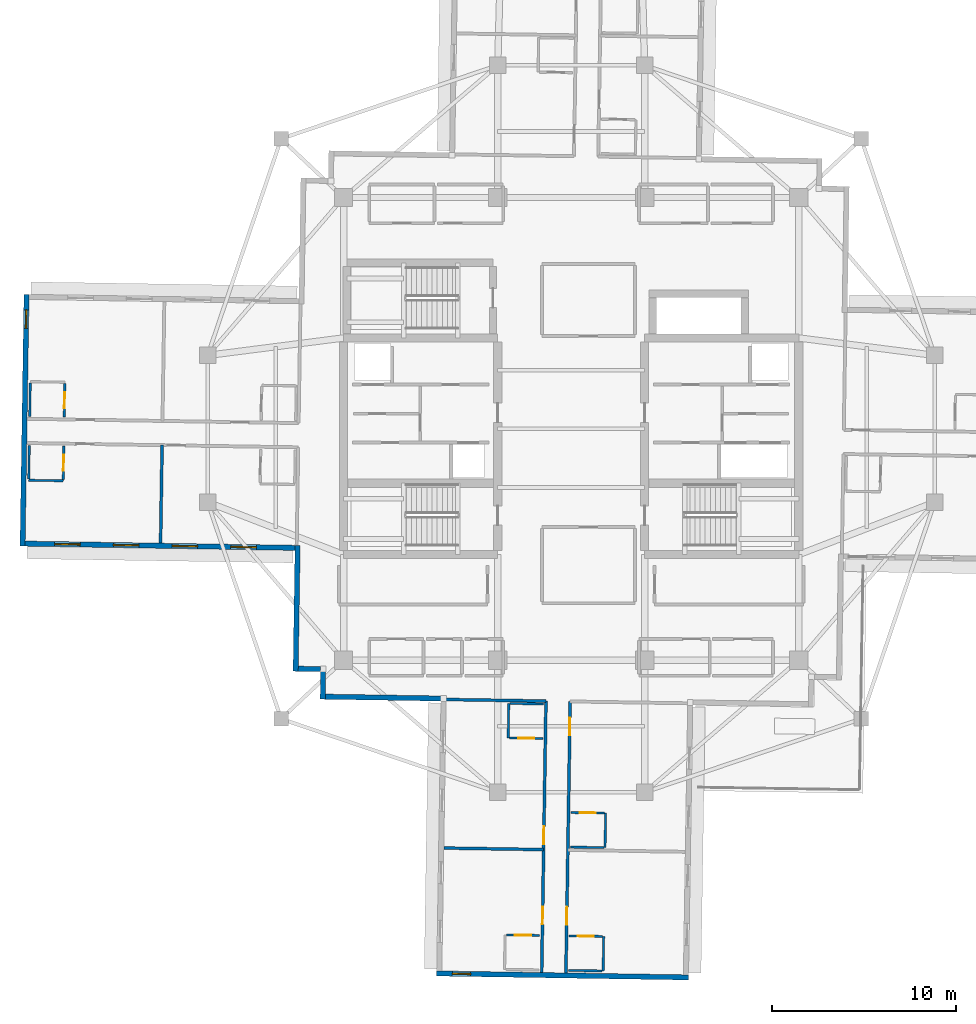
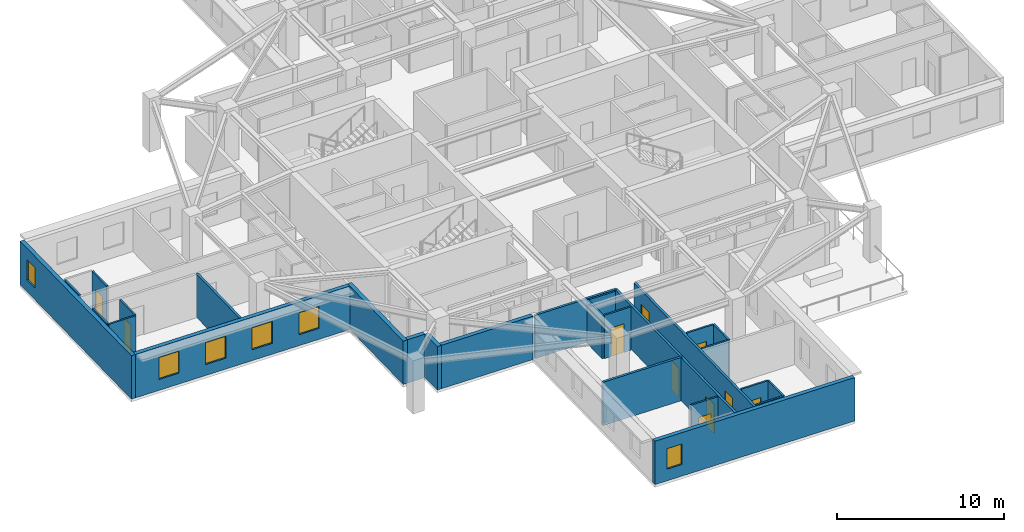
# One storey, part 3 of 13: 27 walls, 10 doors, 6 windows, 16 openings.
"""IFC4 building model written with IfcOpenShell, lengths in metres."""

from ifc_helpers import new_model, si_unit, direction, frame, frame_2d, origin, place, context, subcontext, project, spatial, rectangle, extrude, material, layer, layer_set, type_object, element, fill, save


model = new_model("IFC4")

# Units and contexts
model_context = context("Model", 3, precision=1e-05, world=origin(), true_north=direction((0.0, 1.0)))
body_context = subcontext(model_context, "Body", "Model", "MODEL_VIEW")
ifc_project = project(units=[si_unit("LENGTHUNIT", "METRE"), si_unit("AREAUNIT", "SQUARE_METRE"), si_unit("VOLUMEUNIT", "CUBIC_METRE"), si_unit("PLANEANGLEUNIT", "RADIAN"), si_unit("MASSUNIT", "GRAM", prefix="KILO")], contexts=[model_context])

# Site, building, storey
site_placement = place(None, origin())
site = spatial("IfcSite", under=ifc_project, at=site_placement, CompositionType="ELEMENT")
building_placement = place(site_placement, origin())
building = spatial("IfcBuilding", under=site, at=building_placement, Name="Qingluan Cross Belvedere", CompositionType="ELEMENT")
storey_placement = place(building_placement, frame((0.0, 0.0, 228.60009765625)))
storey = spatial("IfcBuildingStorey", under=building, at=storey_placement, Name="L57", CompositionType="ELEMENT", Elevation=228.60009765625)

# Wall
ifc_material_1 = material(Name="Gypsum plasterboard on steel stud acoustic partition", Category="steel")
ifc_layer_1 = layer(ifc_material_1, 0.159912109375, Name="CorridorPartition_160")
ifc_layer_set_1 = layer_set([ifc_layer_1], Name="Gypsum plasterboard on steel stud acoustic partition")
wall_type_1 = type_object("IfcWallType", Name="CorridorPartition_160", PredefinedType="PARTITIONING", material=ifc_layer_set_1)
wall_1_placement = place(storey_placement, frame((-22.28369140625, -0.89013671875, 0.0), z_axis=(0.0, 0.0, 1.0), x_axis=(-0.015705348516, -0.999876663408, 0.0)))
element("IfcWall", 1, at=wall_1_placement, inside=storey, type_object=wall_type_1, Name="Partition L57:W:d1_0", PredefinedType="PARTITIONING", context=body_context, shape_type="SweptSolid", body=[
    extrude(rectangle(XDim=5.33203125, YDim=0.159912109375, at=frame_2d((2.666015625, 0.0))), origin(), (0.0, 0.0, 1.0), 3.169921875),
])

# Wall, openings, doors
wall_2_placement = place(storey_placement, frame((-0.05322265625, -14.85107421875, 0.0), z_axis=(0.0, 0.0, 1.0), x_axis=(-0.015706944004, -0.999876638346, 0.0)))
wall_2 = element("IfcWall", 2, at=wall_2_placement, inside=storey, type_object=wall_type_1, Name="Partition L57:S:c0", PredefinedType="PARTITIONING", context=body_context, shape_type="SweptSolid", body=[
    extrude(rectangle(XDim=14.78173828125, YDim=0.159912109375, at=frame_2d((7.390869140625, 0.0))), origin(), (0.0, 0.0, 1.0), 3.169921875),
])
opening_1_placement = place(wall_2_placement, frame((0.884033203125, 0.0, 0.0)))
opening_1 = element("IfcOpeningElement", 3, at=opening_1_placement, cuts=wall_2, Name="Opening GD-10", PredefinedType="OPENING", context=body_context, shape_type="SweptSolid", body=[
    extrude(rectangle(XDim=0.9599609375, YDim=2.14990234375, at=frame_2d((0.47998046875, 1.074951171875))), frame((0.0, 0.08984375, 0.0), z_axis=(0.0, -1.0, 0.0), x_axis=(1.0, 0.0, 0.0)), (0.0, 0.0, 1.0), 0.179931640625),
])
opening_2_placement = place(wall_2_placement, frame((11.197998046875, 0.0, 0.0)))
opening_2 = element("IfcOpeningElement", 4, at=opening_2_placement, cuts=wall_2, Name="Opening GD-10", PredefinedType="OPENING", context=body_context, shape_type="SweptSolid", body=[
    extrude(rectangle(XDim=0.9599609375, YDim=2.14990234375, at=frame_2d((0.47998046875, 1.074951171875))), frame((0.0, 0.08984375, 0.0), z_axis=(0.0, -1.0, 0.0), x_axis=(1.0, 0.0, 0.0)), (0.0, 0.0, 1.0), 0.179931640625),
])
ifc_material_2 = material(Name="Timber oak fire-rated acoustic guestroom door", Category="wood")
door_type_1 = type_object("IfcDoorType", Name="GuestEntryDoor_FD60", OperationType="NOTDEFINED", PredefinedType="DOOR", material=ifc_material_2)
door_1_placement = place(opening_1_placement, origin())
door_1 = element("IfcDoor", 5, at=door_1_placement, inside=storey, type_object=door_type_1, Name="Guest entry fire door 5715", OperationType="SINGLE_SWING_LEFT", OverallHeight=2.14990234375, OverallWidth=0.9599609375, PredefinedType="DOOR", context=body_context, shape_type="SweptSolid", body=[
    extrude(rectangle(XDim=0.9599609375, YDim=2.14990234375, at=frame_2d((0.47998046875, 1.074951171875))), frame((0.0, 0.02490234375, 0.0), z_axis=(0.0, -1.0, 0.0), x_axis=(1.0, 0.0, 0.0)), (0.0, 0.0, 1.0), 0.050048828125),
])
fill(opening_1, door_1)
door_2_placement = place(opening_2_placement, origin())
door_2 = element("IfcDoor", 6, at=door_2_placement, inside=storey, type_object=door_type_1, Name="Guest entry fire door 5716", OperationType="SINGLE_SWING_LEFT", OverallHeight=2.14990234375, OverallWidth=0.9599609375, PredefinedType="DOOR", context=body_context, shape_type="SweptSolid", body=[
    extrude(rectangle(XDim=0.9599609375, YDim=2.14990234375, at=frame_2d((0.47998046875, 1.074951171875))), frame((0.0, 0.02490234375, 0.0), z_axis=(0.0, -1.0, 0.0), x_axis=(1.0, 0.0, 0.0)), (0.0, 0.0, 1.0), 0.050048828125),
])
fill(opening_2, door_2)

wall_3_placement = place(storey_placement, frame((-1.373046875, -14.830322265625, 0.0), z_axis=(0.0, 0.0, 1.0), x_axis=(-0.015706684621, -0.999876642421, 0.0)))
wall_3 = element("IfcWall", 7, at=wall_3_placement, inside=storey, type_object=wall_type_1, Name="Partition L57:S:c1", PredefinedType="PARTITIONING", context=body_context, shape_type="SweptSolid", body=[
    extrude(rectangle(XDim=14.781982421875, YDim=0.159912109375, at=frame_2d((7.39111328125, 0.0))), origin(), (0.0, 0.0, 1.0), 3.169921875),
])
opening_3_placement = place(wall_3_placement, frame((6.83203125, 0.0, 0.0)))
opening_3 = element("IfcOpeningElement", 8, at=opening_3_placement, cuts=wall_3, Name="Opening GD-10", PredefinedType="OPENING", context=body_context, shape_type="SweptSolid", body=[
    extrude(rectangle(XDim=0.9599609375, YDim=2.14990234375, at=frame_2d((0.47998046875, 1.074951171875))), frame((0.0, 0.08984375, 0.0), z_axis=(0.0, -1.0, 0.0), x_axis=(1.0, 0.0, 0.0)), (0.0, 0.0, 1.0), 0.179931640625),
])
opening_4_placement = place(wall_3_placement, frame((11.197998046875, 0.0, 0.0)))
opening_4 = element("IfcOpeningElement", 9, at=opening_4_placement, cuts=wall_3, Name="Opening GD-10", PredefinedType="OPENING", context=body_context, shape_type="SweptSolid", body=[
    extrude(rectangle(XDim=0.9599609375, YDim=2.14990234375, at=frame_2d((0.47998046875, 1.074951171875))), frame((0.0, 0.08984375, 0.0), z_axis=(0.0, -1.0, 0.0), x_axis=(1.0, 0.0, 0.0)), (0.0, 0.0, 1.0), 0.179931640625),
])
door_3_placement = place(opening_3_placement, origin())
door_3 = element("IfcDoor", 10, at=door_3_placement, inside=storey, type_object=door_type_1, Name="Guest entry fire door 5717", OperationType="SINGLE_SWING_LEFT", OverallHeight=2.14990234375, OverallWidth=0.9599609375, PredefinedType="DOOR", context=body_context, shape_type="SweptSolid", body=[
    extrude(rectangle(XDim=0.9599609375, YDim=2.14990234375, at=frame_2d((0.47998046875, 1.074951171875))), frame((0.0, 0.02490234375, 0.0), z_axis=(0.0, -1.0, 0.0), x_axis=(1.0, 0.0, 0.0)), (0.0, 0.0, 1.0), 0.050048828125),
])
fill(opening_3, door_3)
door_4_placement = place(opening_4_placement, origin())
door_4 = element("IfcDoor", 11, at=door_4_placement, inside=storey, type_object=door_type_1, Name="Guest entry fire door 5718", OperationType="SINGLE_SWING_LEFT", OverallHeight=2.14990234375, OverallWidth=0.9599609375, PredefinedType="DOOR", context=body_context, shape_type="SweptSolid", body=[
    extrude(rectangle(XDim=0.9599609375, YDim=2.14990234375, at=frame_2d((0.47998046875, 1.074951171875))), frame((0.0, 0.02490234375, 0.0), z_axis=(0.0, -1.0, 0.0), x_axis=(1.0, 0.0, 0.0)), (0.0, 0.0, 1.0), 0.050048828125),
])
fill(opening_4, door_4)

# Walls
wall_4_placement = place(storey_placement, frame((-1.373046875, -14.830322265625, 0.0), z_axis=(0.0, 0.0, 1.0), x_axis=(-0.999876634964, 0.015707159321, 0.0)))
element("IfcWall", 12, at=wall_4_placement, inside=storey, type_object=wall_type_1, Name="Partition L57:S:s1", PredefinedType="PARTITIONING", context=body_context, shape_type="SweptSolid", body=[
    extrude(rectangle(XDim=5.580078125, YDim=0.159912109375, at=frame_2d((2.7900390625, 0.0))), origin(), (0.0, 0.0, 1.0), 3.169921875),
])
wall_5_placement = place(storey_placement, frame((-1.500244140625, -22.92138671875, 0.0), z_axis=(0.0, 0.0, 1.0), x_axis=(-0.999876256724, 0.015731218639, 0.0)))
element("IfcWall", 13, at=wall_5_placement, inside=storey, type_object=wall_type_1, Name="Partition L57:S:d1_0", PredefinedType="PARTITIONING", context=body_context, shape_type="SweptSolid", body=[
    extrude(rectangle(XDim=5.431884765625, YDim=0.159912109375, at=frame_2d((2.7158203125, 0.0))), origin(), (0.0, 0.0, 1.0), 3.169921875),
])

# Wall, opening, door
ifc_material_3 = material(Name="Moisture-resistant gypsum board lining")
ifc_layer_2 = layer(ifc_material_3, 0.1201171875, Name="EnsuiteWetPartition_120")
ifc_layer_set_2 = layer_set([ifc_layer_2], Name="Moisture-resistant gypsum board lining")
wall_type_2 = type_object("IfcWallType", Name="EnsuiteWetPartition_120", PredefinedType="PARTITIONING", material=ifc_layer_set_2)
wall_6_placement = place(storey_placement, frame((-27.613037109375, 0.65380859375, 0.0), z_axis=(0.0, 0.0, 1.0), x_axis=(0.015694337248, 0.999876836305, 0.0)))
wall_6 = element("IfcWall", 14, at=wall_6_placement, inside=storey, type_object=wall_type_2, Name="Partition L57:W:bs0_1", PredefinedType="PARTITIONING", context=body_context, shape_type="SweptSolid", body=[
    extrude(rectangle(XDim=1.820068359375, YDim=0.1201171875, at=frame_2d((0.91015625, 0.0))), origin(), (0.0, 0.0, 1.0), 3.169921875),
])
opening_5_placement = place(wall_6_placement, frame((0.469970703125, 0.0, 0.0)))
opening_5 = element("IfcOpeningElement", 15, at=opening_5_placement, cuts=wall_6, Name="Opening BD-09", PredefinedType="OPENING", context=body_context, shape_type="SweptSolid", body=[
    extrude(rectangle(XDim=0.8798828125, YDim=2.10009765625, at=frame_2d((0.43994140625, 1.050048828125))), frame((0.0, 0.070068359375, 0.0), z_axis=(0.0, -1.0, 0.0), x_axis=(1.0, 0.0, 0.0)), (0.0, 0.0, 1.0), 0.14013671875),
])
ifc_material_4 = material(Name="Moisture-sealed timber en-suite door", Category="wood")
door_type_2 = type_object("IfcDoorType", Name="BathroomDoor_880", OperationType="NOTDEFINED", PredefinedType="DOOR", material=ifc_material_4)
door_5_placement = place(opening_5_placement, origin())
door_5 = element("IfcDoor", 16, at=door_5_placement, inside=storey, type_object=door_type_2, Name="Bathroom door 5706", OperationType="SINGLE_SWING_RIGHT", OverallHeight=2.10009765625, OverallWidth=0.8798828125, PredefinedType="DOOR", context=body_context, shape_type="SweptSolid", body=[
    extrude(rectangle(XDim=0.8798828125, YDim=2.10009765625, at=frame_2d((0.43994140625, 1.050048828125))), frame((0.0, 0.02490234375, 0.0), z_axis=(0.0, -1.0, 0.0), x_axis=(1.0, 0.0, 0.0)), (0.0, 0.0, 1.0), 0.050048828125),
])
fill(opening_5, door_5)

# Wall
wall_7_placement = place(storey_placement, frame((-29.492919921875, 0.683349609375, 0.0), z_axis=(0.0, 0.0, 1.0), x_axis=(0.015694337248, 0.999876836305, 0.0)))
element("IfcWall", 17, at=wall_7_placement, inside=storey, type_object=wall_type_2, Name="Partition L57:W:bw0_1", PredefinedType="PARTITIONING", context=body_context, shape_type="SweptSolid", body=[
    extrude(rectangle(XDim=1.820068359375, YDim=0.1201171875, at=frame_2d((0.91015625, 0.0))), origin(), (0.0, 0.0, 1.0), 3.169921875),
])

# Wall, opening, door
wall_8_placement = place(storey_placement, frame((-27.6669921875, -2.765869140625, 0.0), z_axis=(0.0, 0.0, 1.0), x_axis=(0.015828443418, 0.999874722342, 0.0)))
wall_8 = element("IfcWall", 18, at=wall_8_placement, inside=storey, type_object=wall_type_2, Name="Partition L57:W:bs1_1", PredefinedType="PARTITIONING", context=body_context, shape_type="SweptSolid", body=[
    extrude(rectangle(XDim=1.820068359375, YDim=0.1201171875, at=frame_2d((0.91015625, 0.0))), origin(), (0.0, 0.0, 1.0), 3.169921875),
])
opening_6_placement = place(wall_8_placement, frame((0.469970703125, 0.0, 0.0)))
opening_6 = element("IfcOpeningElement", 19, at=opening_6_placement, cuts=wall_8, Name="Opening BD-09", PredefinedType="OPENING", context=body_context, shape_type="SweptSolid", body=[
    extrude(rectangle(XDim=0.8798828125, YDim=2.10009765625, at=frame_2d((0.43994140625, 1.050048828125))), frame((0.0, 0.070068359375, 0.0), z_axis=(0.0, -1.0, 0.0), x_axis=(1.0, 0.0, 0.0)), (0.0, 0.0, 1.0), 0.14013671875),
])
door_6_placement = place(opening_6_placement, origin())
door_6 = element("IfcDoor", 20, at=door_6_placement, inside=storey, type_object=door_type_2, Name="Bathroom door 5708", OperationType="SINGLE_SWING_RIGHT", OverallHeight=2.10009765625, OverallWidth=0.8798828125, PredefinedType="DOOR", context=body_context, shape_type="SweptSolid", body=[
    extrude(rectangle(XDim=0.8798828125, YDim=2.10009765625, at=frame_2d((0.43994140625, 1.050048828125))), frame((0.0, 0.02490234375, 0.0), z_axis=(0.0, -1.0, 0.0), x_axis=(1.0, 0.0, 0.0)), (0.0, 0.0, 1.0), 0.050048828125),
])
fill(opening_6, door_6)

# Walls
wall_9_placement = place(storey_placement, frame((-29.546630859375, -2.736083984375, 0.0), z_axis=(0.0, 0.0, 1.0), x_axis=(0.015696442504, 0.999876803258, 0.0)))
element("IfcWall", 21, at=wall_9_placement, inside=storey, type_object=wall_type_2, Name="Partition L57:W:bw1_1", PredefinedType="PARTITIONING", context=body_context, shape_type="SweptSolid", body=[
    extrude(rectangle(XDim=1.81982421875, YDim=0.1201171875, at=frame_2d((0.909912109375, 0.0))), origin(), (0.0, 0.0, 1.0), 3.169921875),
])
wall_10_placement = place(storey_placement, frame((-27.66796875, -2.830810546875, 0.0), z_axis=(0.0, 0.0, 1.0), x_axis=(-0.99987652141, 0.015714386166, 0.0)))
element("IfcWall", 22, at=wall_10_placement, inside=storey, type_object=wall_type_2, Name="Partition L57:W:bc1_1", PredefinedType="PARTITIONING", context=body_context, shape_type="SweptSolid", body=[
    extrude(rectangle(XDim=1.8798828125, YDim=0.1201171875, at=frame_2d((0.93994140625, 0.0))), origin(), (0.0, 0.0, 1.0), 3.169921875),
])

# Wall, opening, door
wall_11_placement = place(storey_placement, frame((-0.00830078125, -20.904296875, 0.0), z_axis=(0.0, 0.0, 1.0), x_axis=(0.999874688728, -0.015830566654, 0.0)))
wall_11 = element("IfcWall", 23, at=wall_11_placement, inside=storey, type_object=wall_type_2, Name="Partition L57:S:bs0_0", PredefinedType="PARTITIONING", context=body_context, shape_type="SweptSolid", body=[
    extrude(rectangle(XDim=1.81982421875, YDim=0.1201171875, at=frame_2d((0.909912109375, 0.0))), origin(), (0.0, 0.0, 1.0), 3.169921875),
])
opening_7_placement = place(wall_11_placement, frame((0.469970703125, 0.0, 0.0)))
opening_7 = element("IfcOpeningElement", 24, at=opening_7_placement, cuts=wall_11, Name="Opening BD-09", PredefinedType="OPENING", context=body_context, shape_type="SweptSolid", body=[
    extrude(rectangle(XDim=0.8798828125, YDim=2.10009765625, at=frame_2d((0.43994140625, 1.050048828125))), frame((0.0, 0.070068359375, 0.0), z_axis=(0.0, -1.0, 0.0), x_axis=(1.0, 0.0, 0.0)), (0.0, 0.0, 1.0), 0.14013671875),
])
door_7_placement = place(opening_7_placement, origin())
door_7 = element("IfcDoor", 25, at=door_7_placement, inside=storey, type_object=door_type_2, Name="Bathroom door 5715", OperationType="SINGLE_SWING_RIGHT", OverallHeight=2.10009765625, OverallWidth=0.8798828125, PredefinedType="DOOR", context=body_context, shape_type="SweptSolid", body=[
    extrude(rectangle(XDim=0.8798828125, YDim=2.10009765625, at=frame_2d((0.43994140625, 1.050048828125))), frame((0.0, 0.02490234375, 0.0), z_axis=(0.0, -1.0, 0.0), x_axis=(1.0, 0.0, 0.0)), (0.0, 0.0, 1.0), 0.050048828125),
])
fill(opening_7, door_7)

# Walls
wall_12_placement = place(storey_placement, frame((-0.037841796875, -22.7841796875, 0.0), z_axis=(0.0, 0.0, 1.0), x_axis=(0.999876836305, -0.015694337248, 0.0)))
element("IfcWall", 26, at=wall_12_placement, inside=storey, type_object=wall_type_2, Name="Partition L57:S:bw0_0", PredefinedType="PARTITIONING", context=body_context, shape_type="SweptSolid", body=[
    extrude(rectangle(XDim=1.820068359375, YDim=0.1201171875, at=frame_2d((0.91015625, 0.0))), origin(), (0.0, 0.0, 1.0), 3.169921875),
])
wall_13_placement = place(storey_placement, frame((1.87646484375, -20.93408203125, 0.0), z_axis=(0.0, 0.0, 1.0), x_axis=(-0.015714386166, -0.99987652141, 0.0)))
element("IfcWall", 27, at=wall_13_placement, inside=storey, type_object=wall_type_2, Name="Partition L57:S:bn0_0", PredefinedType="PARTITIONING", context=body_context, shape_type="SweptSolid", body=[
    extrude(rectangle(XDim=1.8798828125, YDim=0.1201171875, at=frame_2d((0.93994140625, 0.0))), origin(), (0.0, 0.0, 1.0), 3.169921875),
])

# Wall, opening, door
wall_14_placement = place(storey_placement, frame((-0.114013671875, -27.62158203125, 0.0), z_axis=(0.0, 0.0, 1.0), x_axis=(0.999876836305, -0.015694337248, 0.0)))
wall_14 = element("IfcWall", 28, at=wall_14_placement, inside=storey, type_object=wall_type_2, Name="Partition L57:S:bs0_1", PredefinedType="PARTITIONING", context=body_context, shape_type="SweptSolid", body=[
    extrude(rectangle(XDim=1.820068359375, YDim=0.1201171875, at=frame_2d((0.91015625, 0.0))), origin(), (0.0, 0.0, 1.0), 3.169921875),
])
opening_8_placement = place(wall_14_placement, frame((0.469970703125, 0.0, 0.0)))
opening_8 = element("IfcOpeningElement", 29, at=opening_8_placement, cuts=wall_14, Name="Opening BD-09", PredefinedType="OPENING", context=body_context, shape_type="SweptSolid", body=[
    extrude(rectangle(XDim=0.8798828125, YDim=2.10009765625, at=frame_2d((0.43994140625, 1.050048828125))), frame((0.0, 0.070068359375, 0.0), z_axis=(0.0, -1.0, 0.0), x_axis=(1.0, 0.0, 0.0)), (0.0, 0.0, 1.0), 0.14013671875),
])
door_8_placement = place(opening_8_placement, origin())
door_8 = element("IfcDoor", 30, at=door_8_placement, inside=storey, type_object=door_type_2, Name="Bathroom door 5716", OperationType="SINGLE_SWING_RIGHT", OverallHeight=2.10009765625, OverallWidth=0.8798828125, PredefinedType="DOOR", context=body_context, shape_type="SweptSolid", body=[
    extrude(rectangle(XDim=0.8798828125, YDim=2.10009765625, at=frame_2d((0.43994140625, 1.050048828125))), frame((0.0, 0.02490234375, 0.0), z_axis=(0.0, -1.0, 0.0), x_axis=(1.0, 0.0, 0.0)), (0.0, 0.0, 1.0), 0.050048828125),
])
fill(opening_8, door_8)

# Walls
wall_15_placement = place(storey_placement, frame((-0.143310546875, -29.50146484375, 0.0), z_axis=(0.0, 0.0, 1.0), x_axis=(0.999876836305, -0.015694337248, 0.0)))
element("IfcWall", 31, at=wall_15_placement, inside=storey, type_object=wall_type_2, Name="Partition L57:S:bw0_1", PredefinedType="PARTITIONING", context=body_context, shape_type="SweptSolid", body=[
    extrude(rectangle(XDim=1.820068359375, YDim=0.1201171875, at=frame_2d((0.91015625, 0.0))), origin(), (0.0, 0.0, 1.0), 3.169921875),
])
wall_16_placement = place(storey_placement, frame((1.77099609375, -27.651123046875, 0.0), z_axis=(0.0, 0.0, 1.0), x_axis=(-0.01571234584, -0.999876553475, 0.0)))
element("IfcWall", 32, at=wall_16_placement, inside=storey, type_object=wall_type_2, Name="Partition L57:S:bn0_1", PredefinedType="PARTITIONING", context=body_context, shape_type="SweptSolid", body=[
    extrude(rectangle(XDim=1.880126953125, YDim=0.1201171875, at=frame_2d((0.93994140625, 0.0))), origin(), (0.0, 0.0, 1.0), 3.169921875),
])

# Wall, opening, door
wall_17_placement = place(storey_placement, frame((-3.364990234375, -16.839111328125, 0.0), z_axis=(0.0, 0.0, 1.0), x_axis=(0.999874722342, -0.015828443418, 0.0)))
wall_17 = element("IfcWall", 33, at=wall_17_placement, inside=storey, type_object=wall_type_2, Name="Partition L57:S:bs1_0", PredefinedType="PARTITIONING", context=body_context, shape_type="SweptSolid", body=[
    extrude(rectangle(XDim=1.820068359375, YDim=0.1201171875, at=frame_2d((0.91015625, 0.0))), origin(), (0.0, 0.0, 1.0), 3.169921875),
])
opening_9_placement = place(wall_17_placement, frame((0.469970703125, 0.0, 0.0)))
opening_9 = element("IfcOpeningElement", 34, at=opening_9_placement, cuts=wall_17, Name="Opening BD-09", PredefinedType="OPENING", context=body_context, shape_type="SweptSolid", body=[
    extrude(rectangle(XDim=0.8798828125, YDim=2.10009765625, at=frame_2d((0.43994140625, 1.050048828125))), frame((0.0, 0.070068359375, 0.0), z_axis=(0.0, -1.0, 0.0), x_axis=(1.0, 0.0, 0.0)), (0.0, 0.0, 1.0), 0.14013671875),
])
door_9_placement = place(opening_9_placement, origin())
door_9 = element("IfcDoor", 35, at=door_9_placement, inside=storey, type_object=door_type_2, Name="Bathroom door 5717", OperationType="SINGLE_SWING_RIGHT", OverallHeight=2.10009765625, OverallWidth=0.8798828125, PredefinedType="DOOR", context=body_context, shape_type="SweptSolid", body=[
    extrude(rectangle(XDim=0.8798828125, YDim=2.10009765625, at=frame_2d((0.43994140625, 1.050048828125))), frame((0.0, 0.02490234375, 0.0), z_axis=(0.0, -1.0, 0.0), x_axis=(1.0, 0.0, 0.0)), (0.0, 0.0, 1.0), 0.050048828125),
])
fill(opening_9, door_9)

# Walls
wall_18_placement = place(storey_placement, frame((-3.33544921875, -14.95947265625, 0.0), z_axis=(0.0, 0.0, 1.0), x_axis=(0.999876836305, -0.015694337248, 0.0)))
element("IfcWall", 36, at=wall_18_placement, inside=storey, type_object=wall_type_2, Name="Partition L57:S:bw1_0", PredefinedType="PARTITIONING", context=body_context, shape_type="SweptSolid", body=[
    extrude(rectangle(XDim=1.820068359375, YDim=0.1201171875, at=frame_2d((0.91015625, 0.0))), origin(), (0.0, 0.0, 1.0), 3.169921875),
])
wall_19_placement = place(storey_placement, frame((-3.400390625, -14.95849609375, 0.0), z_axis=(0.0, 0.0, 1.0), x_axis=(-0.015714386166, -0.99987652141, 0.0)))
element("IfcWall", 37, at=wall_19_placement, inside=storey, type_object=wall_type_2, Name="Partition L57:S:bc1_0", PredefinedType="PARTITIONING", context=body_context, shape_type="SweptSolid", body=[
    extrude(rectangle(XDim=1.8798828125, YDim=0.1201171875, at=frame_2d((0.93994140625, 0.0))), origin(), (0.0, 0.0, 1.0), 3.169921875),
])

# Wall, opening, door
wall_20_placement = place(storey_placement, frame((-3.533447265625, -27.56787109375, 0.0), z_axis=(0.0, 0.0, 1.0), x_axis=(0.999876836305, -0.015694337248, 0.0)))
wall_20 = element("IfcWall", 38, at=wall_20_placement, inside=storey, type_object=wall_type_2, Name="Partition L57:S:bs1_1", PredefinedType="PARTITIONING", context=body_context, shape_type="SweptSolid", body=[
    extrude(rectangle(XDim=1.820068359375, YDim=0.1201171875, at=frame_2d((0.91015625, 0.0))), origin(), (0.0, 0.0, 1.0), 3.169921875),
])
opening_10_placement = place(wall_20_placement, frame((0.469970703125, 0.0, 0.0)))
opening_10 = element("IfcOpeningElement", 39, at=opening_10_placement, cuts=wall_20, Name="Opening BD-09", PredefinedType="OPENING", context=body_context, shape_type="SweptSolid", body=[
    extrude(rectangle(XDim=0.8798828125, YDim=2.10009765625, at=frame_2d((0.43994140625, 1.050048828125))), frame((0.0, 0.070068359375, 0.0), z_axis=(0.0, -1.0, 0.0), x_axis=(1.0, 0.0, 0.0)), (0.0, 0.0, 1.0), 0.14013671875),
])
door_10_placement = place(opening_10_placement, origin())
door_10 = element("IfcDoor", 40, at=door_10_placement, inside=storey, type_object=door_type_2, Name="Bathroom door 5718", OperationType="SINGLE_SWING_RIGHT", OverallHeight=2.10009765625, OverallWidth=0.8798828125, PredefinedType="DOOR", context=body_context, shape_type="SweptSolid", body=[
    extrude(rectangle(XDim=0.8798828125, YDim=2.10009765625, at=frame_2d((0.43994140625, 1.050048828125))), frame((0.0, 0.02490234375, 0.0), z_axis=(0.0, -1.0, 0.0), x_axis=(1.0, 0.0, 0.0)), (0.0, 0.0, 1.0), 0.050048828125),
])
fill(opening_10, door_10)

# Wall, openings, windows
ifc_material_5 = material(Name="Precast concrete C45", Category="concrete")
ifc_layer_3 = layer(ifc_material_5, 0.280029296875, Name="PrecastFacadeWall_280")
ifc_layer_set_3 = layer_set([ifc_layer_3], Name="Precast concrete C45")
wall_type_3 = type_object("IfcWallType", Name="PrecastFacadeWall_280", PredefinedType="STANDARD", material=ifc_layer_set_3)
wall_21_placement = place(storey_placement, frame((-29.741943359375, -6.253662109375, 0.0), z_axis=(0.0, 0.0, 1.0), x_axis=(0.999876569875, -0.015711302158, 0.0)))
wall_21 = element("IfcWall", 41, at=wall_21_placement, inside=storey, type_object=wall_type_3, Name="Facade wall L57-WB", PredefinedType="STANDARD", context=body_context, shape_type="SweptSolid", body=[
    extrude(rectangle(XDim=14.699951171875, YDim=0.280029296875, at=frame_2d((7.35009765625, 0.0))), origin(), (0.0, 0.0, 1.0), 3.179931640625),
])
opening_11_placement = place(wall_21_placement, frame((1.60009765625, 0.0, 0.800048828125)))
opening_11 = element("IfcOpeningElement", 42, at=opening_11_placement, cuts=wall_21, Name="Opening W-01", PredefinedType="OPENING", context=body_context, shape_type="SweptSolid", body=[
    extrude(rectangle(XDim=1.39990234375, YDim=1.60009765625, at=frame_2d((0.699951171875, 0.800048828125))), frame((0.0, 0.14990234375, 0.0), z_axis=(0.0, -1.0, 0.0), x_axis=(1.0, 0.0, 0.0)), (0.0, 0.0, 1.0), 0.300048828125),
])
opening_12_placement = place(wall_21_placement, frame((4.800048828125, 0.0, 0.800048828125)))
opening_12 = element("IfcOpeningElement", 43, at=opening_12_placement, cuts=wall_21, Name="Opening W-01", PredefinedType="OPENING", context=body_context, shape_type="SweptSolid", body=[
    extrude(rectangle(XDim=1.39990234375, YDim=1.60009765625, at=frame_2d((0.699951171875, 0.800048828125))), frame((0.0, 0.14990234375, 0.0), z_axis=(0.0, -1.0, 0.0), x_axis=(1.0, 0.0, 0.0)), (0.0, 0.0, 1.0), 0.300048828125),
])
opening_13_placement = place(wall_21_placement, frame((8.0, 0.0, 0.800048828125)))
opening_13 = element("IfcOpeningElement", 44, at=opening_13_placement, cuts=wall_21, Name="Opening W-01", PredefinedType="OPENING", context=body_context, shape_type="SweptSolid", body=[
    extrude(rectangle(XDim=1.39990234375, YDim=1.60009765625, at=frame_2d((0.699951171875, 0.800048828125))), frame((0.0, 0.14990234375, 0.0), z_axis=(0.0, -1.0, 0.0), x_axis=(1.0, 0.0, 0.0)), (0.0, 0.0, 1.0), 0.300048828125),
])
opening_14_placement = place(wall_21_placement, frame((11.199951171875, 0.0, 0.800048828125)))
opening_14 = element("IfcOpeningElement", 45, at=opening_14_placement, cuts=wall_21, Name="Opening W-01", PredefinedType="OPENING", context=body_context, shape_type="SweptSolid", body=[
    extrude(rectangle(XDim=1.39990234375, YDim=1.60009765625, at=frame_2d((0.699951171875, 0.800048828125))), frame((0.0, 0.14990234375, 0.0), z_axis=(0.0, -1.0, 0.0), x_axis=(1.0, 0.0, 0.0)), (0.0, 0.0, 1.0), 0.300048828125),
])
ifc_material_6 = material(Name="Thermally broken triple Low-E glass in aluminium frame", Category="aluminium")
window_type_1 = type_object("IfcWindowType", Name="TriRibbonWin_1400x1600", PartitioningType="SINGLE_PANEL", PredefinedType="WINDOW", material=ifc_material_6)
window_1_placement = place(opening_11_placement, origin())
window_1 = element("IfcWindow", 46, at=window_1_placement, inside=storey, type_object=window_type_1, Name="Ribbon window L57-WB-1", OverallHeight=1.60009765625, OverallWidth=1.39990234375, PartitioningType="SINGLE_PANEL", PredefinedType="WINDOW", context=body_context, shape_type="SweptSolid", body=[
    extrude(rectangle(XDim=1.39990234375, YDim=1.60009765625, at=frame_2d((0.699951171875, 0.800048828125))), frame((0.0, 0.030029296875, 0.0), z_axis=(0.0, -1.0, 0.0), x_axis=(1.0, 0.0, 0.0)), (0.0, 0.0, 1.0), 0.06005859375),
])
fill(opening_11, window_1)
window_2_placement = place(opening_12_placement, origin())
window_2 = element("IfcWindow", 47, at=window_2_placement, inside=storey, type_object=window_type_1, Name="Ribbon window L57-WB-2", OverallHeight=1.60009765625, OverallWidth=1.39990234375, PartitioningType="SINGLE_PANEL", PredefinedType="WINDOW", context=body_context, shape_type="SweptSolid", body=[
    extrude(rectangle(XDim=1.39990234375, YDim=1.60009765625, at=frame_2d((0.699951171875, 0.800048828125))), frame((0.0, 0.030029296875, 0.0), z_axis=(0.0, -1.0, 0.0), x_axis=(1.0, 0.0, 0.0)), (0.0, 0.0, 1.0), 0.06005859375),
])
fill(opening_12, window_2)
window_3_placement = place(opening_13_placement, origin())
window_3 = element("IfcWindow", 48, at=window_3_placement, inside=storey, type_object=window_type_1, Name="Ribbon window L57-WB-3", OverallHeight=1.60009765625, OverallWidth=1.39990234375, PartitioningType="SINGLE_PANEL", PredefinedType="WINDOW", context=body_context, shape_type="SweptSolid", body=[
    extrude(rectangle(XDim=1.39990234375, YDim=1.60009765625, at=frame_2d((0.699951171875, 0.800048828125))), frame((0.0, 0.030029296875, 0.0), z_axis=(0.0, -1.0, 0.0), x_axis=(1.0, 0.0, 0.0)), (0.0, 0.0, 1.0), 0.06005859375),
])
fill(opening_13, window_3)
window_4_placement = place(opening_14_placement, origin())
window_4 = element("IfcWindow", 49, at=window_4_placement, inside=storey, type_object=window_type_1, Name="Ribbon window L57-WB-4", OverallHeight=1.60009765625, OverallWidth=1.39990234375, PartitioningType="SINGLE_PANEL", PredefinedType="WINDOW", context=body_context, shape_type="SweptSolid", body=[
    extrude(rectangle(XDim=1.39990234375, YDim=1.60009765625, at=frame_2d((0.699951171875, 0.800048828125))), frame((0.0, 0.030029296875, 0.0), z_axis=(0.0, -1.0, 0.0), x_axis=(1.0, 0.0, 0.0)), (0.0, 0.0, 1.0), 0.06005859375),
])
fill(opening_14, window_4)

# Wall, opening, window
wall_22_placement = place(storey_placement, frame((-29.668701171875, 7.326904296875, 0.0), z_axis=(0.0, 0.0, 1.0), x_axis=(-0.015694809807, -0.999876828887, 0.0)))
wall_22 = element("IfcWall", 50, at=wall_22_placement, inside=storey, type_object=wall_type_3, Name="Arm tip precast facade wall L57-W", PredefinedType="STANDARD", context=body_context, shape_type="SweptSolid", body=[
    extrude(rectangle(XDim=13.719970703125, YDim=0.280029296875, at=frame_2d((6.85986328125, 0.0))), origin(), (0.0, 0.0, 1.0), 3.179931640625),
])
opening_15_placement = place(wall_22_placement, frame((0.85009765625, 0.0, 0.85009765625)))
opening_15 = element("IfcOpeningElement", 51, at=opening_15_placement, cuts=wall_22, Name="Opening W-03", PredefinedType="OPENING", context=body_context, shape_type="SweptSolid", body=[
    extrude(rectangle(XDim=1.0, YDim=1.5, at=frame_2d((0.5, 0.75))), frame((0.0, 0.14990234375, 0.0), z_axis=(0.0, -1.0, 0.0), x_axis=(1.0, 0.0, 0.0)), (0.0, 0.0, 1.0), 0.300048828125),
])
ifc_material_7 = material(Name="Thermally broken triple Low-E glass in aluminium frame", Category="aluminium")
window_type_2 = type_object("IfcWindowType", Name="TriApexWin_1000x1500", PartitioningType="SINGLE_PANEL", PredefinedType="WINDOW", material=ifc_material_7)
window_5_placement = place(opening_15_placement, origin())
window_5 = element("IfcWindow", 52, at=window_5_placement, inside=storey, type_object=window_type_2, Name="Arm tip triangular window L57-W", OverallHeight=1.5, OverallWidth=1.0, PartitioningType="SINGLE_PANEL", PredefinedType="WINDOW", context=body_context, shape_type="SweptSolid", body=[
    extrude(rectangle(XDim=1.0, YDim=1.5, at=frame_2d((0.5, 0.75))), frame((0.0, 0.030029296875, 0.0), z_axis=(0.0, -1.0, 0.0), x_axis=(1.0, 0.0, 0.0)), (0.0, 0.0, 1.0), 0.06005859375),
])
fill(opening_15, window_5)

wall_23_placement = place(storey_placement, frame((-7.326904296875, -29.668701171875, 0.0), z_axis=(0.0, 0.0, 1.0), x_axis=(0.999876828887, -0.015694809807, 0.0)))
wall_23 = element("IfcWall", 53, at=wall_23_placement, inside=storey, type_object=wall_type_3, Name="Arm tip precast facade wall L57-S", PredefinedType="STANDARD", context=body_context, shape_type="SweptSolid", body=[
    extrude(rectangle(XDim=13.719970703125, YDim=0.280029296875, at=frame_2d((6.85986328125, 0.0))), origin(), (0.0, 0.0, 1.0), 3.179931640625),
])
opening_16_placement = place(wall_23_placement, frame((0.85009765625, 0.0, 0.85009765625)))
opening_16 = element("IfcOpeningElement", 54, at=opening_16_placement, cuts=wall_23, Name="Opening W-03", PredefinedType="OPENING", context=body_context, shape_type="SweptSolid", body=[
    extrude(rectangle(XDim=1.0, YDim=1.5, at=frame_2d((0.5, 0.75))), frame((0.0, 0.14990234375, 0.0), z_axis=(0.0, -1.0, 0.0), x_axis=(1.0, 0.0, 0.0)), (0.0, 0.0, 1.0), 0.300048828125),
])
window_6_placement = place(opening_16_placement, origin())
window_6 = element("IfcWindow", 55, at=window_6_placement, inside=storey, type_object=window_type_2, Name="Arm tip triangular window L57-S", OverallHeight=1.5, OverallWidth=1.0, PartitioningType="SINGLE_PANEL", PredefinedType="WINDOW", context=body_context, shape_type="SweptSolid", body=[
    extrude(rectangle(XDim=1.0, YDim=1.5, at=frame_2d((0.5, 0.75))), frame((0.0, 0.030029296875, 0.0), z_axis=(0.0, -1.0, 0.0), x_axis=(1.0, 0.0, 0.0)), (0.0, 0.0, 1.0), 0.06005859375),
])
fill(opening_16, window_6)

# Walls
wall_24_placement = place(storey_placement, frame((-14.901611328125, -6.3466796875, 0.0), z_axis=(0.0, 0.0, 1.0), x_axis=(-0.015694809807, -0.999876828887, 0.0)))
element("IfcWall", 56, at=wall_24_placement, inside=storey, type_object=wall_type_3, Name="Corner wall L57-SW1", PredefinedType="STANDARD", context=body_context, shape_type="SweptSolid", body=[
    extrude(rectangle(XDim=6.85986328125, YDim=0.280029296875, at=frame_2d((3.429931640625, 0.0))), origin(), (0.0, 0.0, 1.0), 3.179931640625),
])
wall_25_placement = place(storey_placement, frame((-14.8671875, -13.068115234375, 0.0), z_axis=(0.0, 0.0, 1.0), x_axis=(0.999875053502, -0.015807510352, 0.0)))
element("IfcWall", 57, at=wall_25_placement, inside=storey, type_object=wall_type_3, Name="Corner wall L57-SW2", PredefinedType="STANDARD", context=body_context, shape_type="SweptSolid", body=[
    extrude(rectangle(XDim=1.22021484375, YDim=0.280029296875, at=frame_2d((0.610107421875, 0.0))), origin(), (0.0, 0.0, 1.0), 3.179931640625),
])
wall_26_placement = place(storey_placement, frame((-13.509521484375, -13.2294921875, 0.0), z_axis=(0.0, 0.0, 1.0), x_axis=(-0.015625635615, -0.999877912303, 0.0)))
element("IfcWall", 58, at=wall_26_placement, inside=storey, type_object=wall_type_3, Name="Corner wall L57-SW3", PredefinedType="STANDARD", context=body_context, shape_type="SweptSolid", body=[
    extrude(rectangle(XDim=1.5, YDim=0.280029296875, at=frame_2d((0.75, 0.0))), origin(), (0.0, 0.0, 1.0), 3.179931640625),
])
wall_27_placement = place(storey_placement, frame((-13.390869140625, -14.591552734375, 0.0), z_axis=(0.0, 0.0, 1.0), x_axis=(0.999876833368, -0.015694524359, 0.0)))
element("IfcWall", 59, at=wall_27_placement, inside=storey, type_object=wall_type_3, Name="Corner wall L57-SW4", PredefinedType="STANDARD", context=body_context, shape_type="SweptSolid", body=[
    extrude(rectangle(XDim=6.300048828125, YDim=0.280029296875, at=frame_2d((3.14990234375, 0.0))), origin(), (0.0, 0.0, 1.0), 3.179931640625),
])

save(model, "model.ifc")
